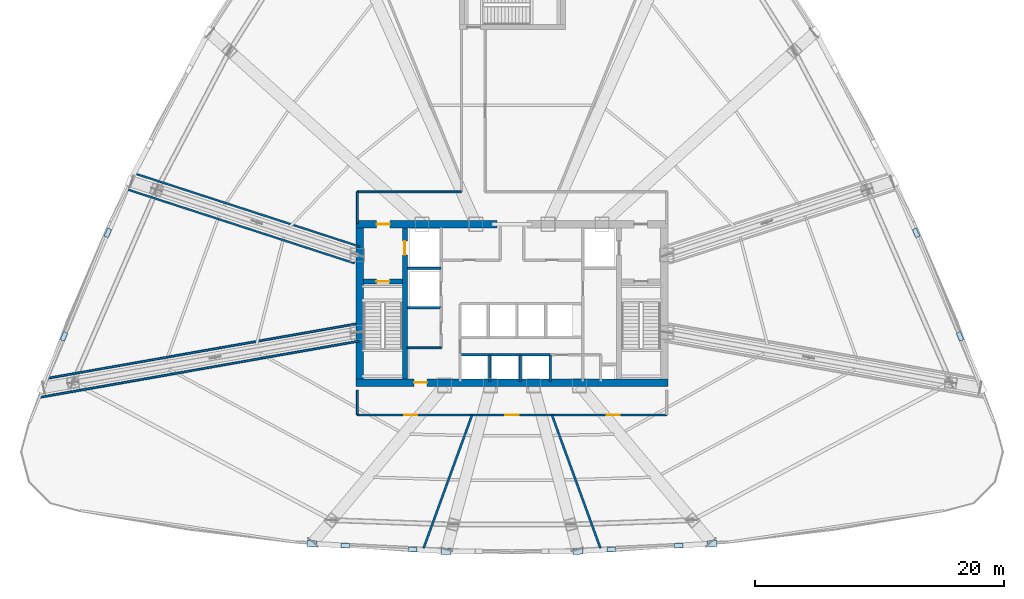
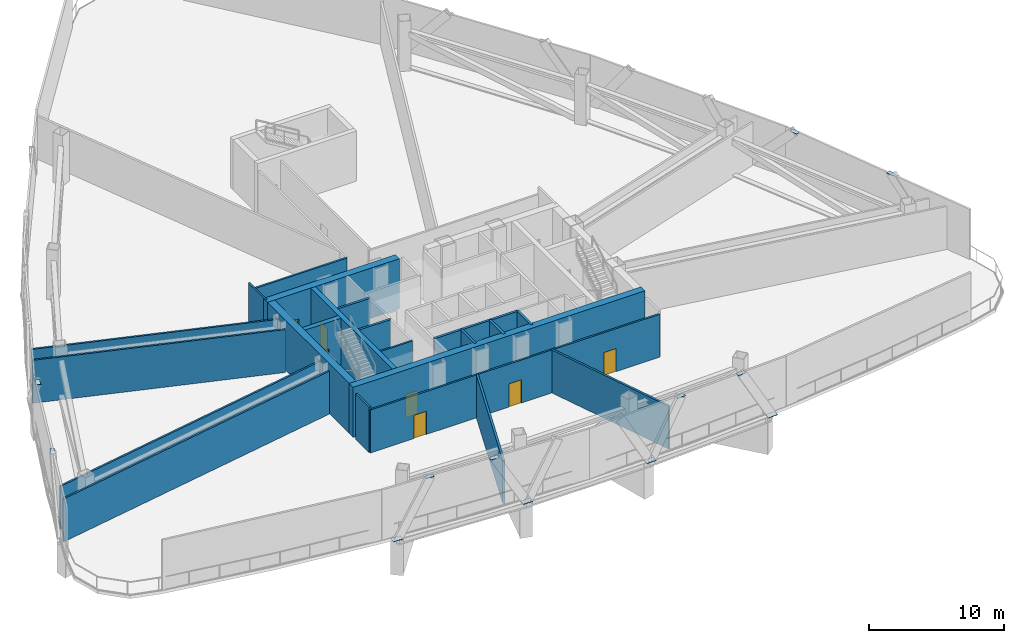
# One storey, part 9 of 17: 22 walls, 12 plates, 7 doors, 7 openings.
"""IFC4 building model written with IfcOpenShell, lengths in metres."""

from ifc_helpers import new_model, si_unit, direction, frame, frame_2d, origin, origin_with_axes, origin_2d, place, context, subcontext, project, spatial, rectangle, extrude, source, transform, mapped, material, layer, layer_set, type_object, element, fill, save


model = new_model("IFC4")

# Units and contexts
model_context = context("Model", 3, precision=1e-05, world=origin(), true_north=direction((0.0, 1.0)))
body_context = subcontext(model_context, "Body", "Model", "MODEL_VIEW")
ifc_project = project(units=[si_unit("LENGTHUNIT", "METRE"), si_unit("AREAUNIT", "SQUARE_METRE"), si_unit("VOLUMEUNIT", "CUBIC_METRE"), si_unit("PLANEANGLEUNIT", "RADIAN"), si_unit("MASSUNIT", "GRAM", prefix="KILO"), si_unit("THERMODYNAMICTEMPERATUREUNIT", "KELVIN"), si_unit("POWERUNIT", "WATT")], contexts=[model_context])

# Site, building, storey
site_placement = place(None, origin())
site = spatial("IfcSite", under=ifc_project, at=site_placement, CompositionType="ELEMENT")
building_placement = place(site_placement, origin())
building = spatial("IfcBuilding", under=site, at=building_placement, Name="Yunzhuo Pagoda Commons", CompositionType="ELEMENT")
storey_placement = place(building_placement, frame((0.0, 0.0, 176.159912109375)))
storey = spatial("IfcBuildingStorey", under=building, at=storey_placement, Name="L44", CompositionType="ELEMENT", Elevation=176.159912109375)

# Plates
ifc_material_1 = material(Name="Structural steel Q355B", Category="steel")
ifc_layer_1 = layer(ifc_material_1, 0.028076171875)
ifc_layer_set_1 = layer_set([ifc_layer_1], Name="Structural steel Q355B")
plate_type = type_object("IfcPlateType", Name="SP-ND1 Lattice Node Cap Plate 800x500x28", PredefinedType="USERDEFINED", material=ifc_layer_set_1)
shared_shape_1 = source(origin(), body_context, "Body", "SweptSolid", [
    extrude(rectangle(XDim=0.800048828125, YDim=0.5, at=origin_2d()), origin(), (0.0, 0.0, 1.0), 0.028076171875),
])
for number, where, z_axis, x_axis, name in (
    (1, (31.95263671875, 14.575439453125, -0.2939453125), (0.0, 0.0, 1.0), (0.998423178068, -0.05613517165, 0.0), "L44 diamond node plate F1.1A"),
    (2, (42.71337890625, 13.970458984375, -0.2939453125), (0.0, 0.0, 1.0), (1.0, 0.0, 0.0), "L44 diamond node plate F1.2A"),
    (3, (53.28662109375, 13.970458984375, -0.2939453125), (0.0, 0.0, 1.0), (0.998423178068, 0.05613517165, 0.0), "L44 diamond node plate F1.3A"),
    (4, (64.04736328125, 14.575439453125, -0.2939453125), (0.0, 0.0, 1.0), (0.998423178068, 0.05613517165, 0.0), "L44 diamond node plate F1.3B"),
):
    element("IfcPlate", number, at=place(storey_placement, frame(where, z_axis=z_axis, x_axis=x_axis)), inside=storey, type_object=plate_type, Name=name, ObjectType="STIFFENER_PLATE", PredefinedType="USERDEFINED", context=body_context, shape_type="MappedRepresentation", body=[
        mapped(shared_shape_1, transform((0.0, 0.0, 0.0), scale=1.0)),
    ])
shared_shape_2 = source(origin(), body_context, "Body", "SweptSolid", [
    extrude(rectangle(XDim=0.699951171875, YDim=0.35009765625, at=origin_2d()), origin(), (0.0, 0.0, 1.0), 0.035888671875),
])
for number, where, z_axis, x_axis, name in (
    (5, (34.642822265625, 14.42431640625, 4.501953125), (0.0, 0.0, 1.0), (0.998423178068, -0.05613517165, 0.0), "L44 setback lattice tie plate F1.1L"),
    (6, (40.023193359375, 14.12158203125, 4.501953125), (0.0, 0.0, 1.0), (0.998423178068, -0.05613517165, 0.0), "L44 setback lattice tie plate F1.1R"),
    (7, (55.976806640625, 14.12158203125, 4.501953125), (0.0, 0.0, 1.0), (0.998423178068, 0.05613517165, 0.0), "L44 setback lattice tie plate F1.3L"),
    (8, (61.357177734375, 14.42431640625, 4.501953125), (0.0, 0.0, 1.0), (0.998423178068, 0.05613517165, 0.0), "L44 setback lattice tie plate F1.3R"),
    (9, (83.930419921875, 31.20458984375, 4.501953125), (0.0, 0.0, 1.0), (-0.39069899657, 0.920518491981, 0.0), "L44 setback lattice tie plate F2.1L"),
    (10, (80.406982421875, 39.50634765625, 4.501953125), (0.0, 0.0, 1.0), (-0.39069899657, 0.920518491981, 0.0), "L44 setback lattice tie plate F2.1R"),
    (11, (15.593017578125, 39.50634765625, 4.501953125), (0.0, 0.0, 1.0), (-0.39069899657, -0.920518491981, 0.0), "L44 setback lattice tie plate F3.3L"),
    (12, (12.069580078125, 31.20458984375, 4.501953125), (0.0, 0.0, 1.0), (-0.39069899657, -0.920518491981, 0.0), "L44 setback lattice tie plate F3.3R"),
):
    element("IfcPlate", number, at=place(storey_placement, frame(where, z_axis=z_axis, x_axis=x_axis)), inside=storey, type_object=plate_type, Name=name, ObjectType="STIFFENER_PLATE", PredefinedType="USERDEFINED", context=body_context, shape_type="MappedRepresentation", body=[
        mapped(shared_shape_2, transform((0.0, 0.0, 0.0), scale=1.0)),
    ])

# Wall, opening, door
ifc_material_2 = material(Name="Concrete C60", Category="concrete")
ifc_layer_2 = layer(ifc_material_2, 0.60009765625)
ifc_layer_set_2 = layer_set([ifc_layer_2], Name="Concrete C60")
wall_type_1 = type_object("IfcWallType", Name="W-C02 Mid Core Shear Wall 600", PredefinedType="SHEAR", material=ifc_layer_set_2)
wall_1_placement = place(storey_placement, frame((35.5, 27.5, 0.0), z_axis=(0.0, 0.0, 1.0), x_axis=(1.0, 0.0, 0.0)))
wall_1 = element("IfcWall", 13, at=wall_1_placement, inside=storey, type_object=wall_type_1, Name="L44 core shear wall S", PredefinedType="SHEAR", context=body_context, shape_type="SweptSolid", body=[
    extrude(rectangle(XDim=25.0, YDim=0.60009765625, at=frame_2d((12.5, 0.0))), origin(), (0.0, 0.0, 1.0), 4.5400390625),
])
opening_1_placement = place(wall_1_placement, frame((4.64990234375, 0.0, 0.0)))
opening_1 = element("IfcOpeningElement", 14, at=opening_1_placement, cuts=wall_1, Name="Opening D-02", PredefinedType="OPENING", context=body_context, shape_type="SweptSolid", body=[
    extrude(rectangle(XDim=1.050048828125, YDim=2.10009765625, at=frame_2d((0.52490234375, 1.050048828125))), frame((0.0, 0.31005859375, 0.0), z_axis=(0.0, -1.0, 0.0), x_axis=(1.0, 0.0, 0.0)), (0.0, 0.0, 1.0), 0.6201171875),
])
ifc_material_3 = material(Name="Galvanized fire-resisting metal leaf")
door_type_1 = type_object("IfcDoorType", Name="D-02 Firefighting Lobby & Refuge Fire Door 1050x2100", OperationType="NOTDEFINED", PredefinedType="DOOR", material=ifc_material_3)
shared_shape_3 = source(origin(), body_context, "Body", "SweptSolid", [
    extrude(rectangle(XDim=1.050048828125, YDim=2.10009765625, at=frame_2d((0.52490234375, 1.050048828125))), frame((0.0, 0.02490234375, 0.0), z_axis=(0.0, -1.0, 0.0), x_axis=(1.0, 0.0, 0.0)), (0.0, 0.0, 1.0), 0.050048828125),
])
door_1_placement = place(opening_1_placement, frame((1.050048828125, 0.0, 0.0), z_axis=(0.0, 0.0, 1.0), x_axis=(-1.0, 0.0, 0.0)))
door_1 = element("IfcDoor", 15, at=door_1_placement, inside=storey, type_object=door_type_1, Name="L44 core south refuge lobby fire door", OperationType="SINGLE_SWING_LEFT", OverallHeight=2.10009765625, OverallWidth=1.050048828125, PredefinedType="DOOR", context=body_context, shape_type="MappedRepresentation", body=[
    mapped(shared_shape_3, transform((0.0, 0.0, 0.0), scale=1.0)),
])
fill(opening_1, door_1)

wall_2_placement = place(storey_placement, frame((35.5, 40.199951171875, 0.0), z_axis=(0.0, 0.0, 1.0), x_axis=(1.0, 0.0, 0.0)))
wall_2 = element("IfcWall", 16, at=wall_2_placement, inside=storey, type_object=wall_type_1, Name="L44 core shear wall NW", PredefinedType="SHEAR", context=body_context, shape_type="SweptSolid", body=[
    extrude(rectangle(XDim=11.300048828125, YDim=0.60009765625, at=frame_2d((5.64990234375, 0.0))), origin(), (0.0, 0.0, 1.0), 4.5400390625),
])
opening_2_placement = place(wall_2_placement, frame((1.64990234375, 0.0, 0.0)))
opening_2 = element("IfcOpeningElement", 17, at=opening_2_placement, cuts=wall_2, Name="Opening D-02", PredefinedType="OPENING", context=body_context, shape_type="SweptSolid", body=[
    extrude(rectangle(XDim=1.050048828125, YDim=2.10009765625, at=frame_2d((0.52490234375, 1.050048828125))), frame((0.0, 0.31005859375, 0.0), z_axis=(0.0, -1.0, 0.0), x_axis=(1.0, 0.0, 0.0)), (0.0, 0.0, 1.0), 0.6201171875),
])
door_2_placement = place(opening_2_placement, frame((1.050048828125, 0.0, 0.0), z_axis=(0.0, 0.0, 1.0), x_axis=(-1.0, 0.0, 0.0)))
door_2 = element("IfcDoor", 18, at=door_2_placement, inside=storey, type_object=door_type_1, Name="L44 Firefighting Lobby 1 fire door", OperationType="SINGLE_SWING_LEFT", OverallHeight=2.10009765625, OverallWidth=1.050048828125, PredefinedType="DOOR", context=body_context, shape_type="MappedRepresentation", body=[
    mapped(shared_shape_3, transform((0.0, 0.0, 0.0), scale=1.0)),
])
fill(opening_2, door_2)

# Walls
wall_3_placement = place(storey_placement, frame((35.800048828125, 27.800048828125, 0.0), z_axis=(0.0, 0.0, 1.0), x_axis=(0.0, 1.0, 0.0)))
element("IfcWall", 19, at=wall_3_placement, inside=storey, type_object=wall_type_1, Name="L44 core shear wall W", PredefinedType="SHEAR", context=body_context, shape_type="SweptSolid", body=[
    extrude(rectangle(XDim=12.099853515625, YDim=0.60009765625, at=frame_2d((6.0498046875, 0.0))), origin(), (0.0, 0.0, 1.0), 4.5400390625),
])
ifc_material_4 = material(Name="Gypsum plasterboard on acoustic stud")
ifc_layer_3 = layer(ifc_material_4, 0.155029296875)
ifc_layer_set_3 = layer_set([ifc_layer_3], Name="Gypsum plasterboard on acoustic stud")
wall_type_2 = type_object("IfcWallType", Name="W-COR2 Mid-Zone Rated Corridor Wall 155", PredefinedType="PARTITIONING", material=ifc_layer_set_3)
wall_4_placement = place(storey_placement, frame((39.60009765625, 30.280029296875, 0.0), z_axis=(0.0, 0.0, 1.0), x_axis=(1.0, 0.0, 0.0)))
element("IfcWall", 20, at=wall_4_placement, inside=storey, type_object=wall_type_2, Name="L44 interior wall IW-L44-LLOBSN", PredefinedType="PARTITIONING", context=body_context, shape_type="SweptSolid", body=[
    extrude(rectangle(XDim=2.719970703125, YDim=0.155029296875, at=frame_2d((1.35986328125, 0.0))), origin(), (0.0, 0.0, 1.0), 4.5400390625),
])
wall_5_placement = place(storey_placement, frame((35.81640625, 38.394775390625, 0.0), z_axis=(0.0, 0.0, 1.0), x_axis=(-0.951055361724, 0.309020547758, 0.0)))
element("IfcWall", 21, at=wall_5_placement, inside=storey, type_object=wall_type_2, Name="L44 interior wall IW-L44-OTW05", PredefinedType="PARTITIONING", context=body_context, shape_type="SweptSolid", body=[
    extrude(rectangle(XDim=18.956298828125, YDim=0.155029296875, at=frame_2d((9.47802734375, 0.0))), origin(), (0.0, 0.0, 1.0), 3.89013671875),
])
wall_6_placement = place(storey_placement, frame((35.3837890625, 37.063232421875, 0.0), z_axis=(0.0, 0.0, 1.0), x_axis=(-0.951056691926, 0.309016453838, 0.0)))
element("IfcWall", 22, at=wall_6_placement, inside=storey, type_object=wall_type_2, Name="L44 interior wall IW-L44-OTW06", PredefinedType="PARTITIONING", context=body_context, shape_type="SweptSolid", body=[
    extrude(rectangle(XDim=19.189697265625, YDim=0.155029296875, at=frame_2d((9.5947265625, 0.0))), origin(), (0.0, 0.0, 1.0), 3.89013671875),
])
wall_7_placement = place(storey_placement, frame((35.478515625, 32.202880859375, 0.0), z_axis=(0.0, 0.0, 1.0), x_axis=(-0.984809178547, -0.173640092865, 0.0)))
element("IfcWall", 23, at=wall_7_placement, inside=storey, type_object=wall_type_2, Name="L44 interior wall IW-L44-OTW07", PredefinedType="PARTITIONING", context=body_context, shape_type="SweptSolid", body=[
    extrude(rectangle(XDim=25.1240234375, YDim=0.155029296875, at=frame_2d((12.56201171875, 0.0))), origin(), (0.0, 0.0, 1.0), 3.89013671875),
])
wall_8_placement = place(storey_placement, frame((35.7216796875, 30.82421875, 0.0), z_axis=(0.0, 0.0, 1.0), x_axis=(-0.984808792437, -0.173642282695, 0.0)))
element("IfcWall", 24, at=wall_8_placement, inside=storey, type_object=wall_type_2, Name="L44 interior wall IW-L44-OTW08", PredefinedType="PARTITIONING", context=body_context, shape_type="SweptSolid", body=[
    extrude(rectangle(XDim=25.99560546875, YDim=0.155029296875, at=frame_2d((12.997802734375, 0.0))), origin(), (0.0, 0.0, 1.0), 3.89013671875),
])
wall_9_placement = place(storey_placement, frame((35.60009765625, 40.25, 0.0), z_axis=(0.0, 0.0, 1.0), x_axis=(0.0, 1.0, 0.0)))
element("IfcWall", 25, at=wall_9_placement, inside=storey, type_object=wall_type_2, Name="L44 interior wall IW-L44-SCW01", PredefinedType="PARTITIONING", context=body_context, shape_type="SweptSolid", body=[
    extrude(rectangle(XDim=2.550048828125, YDim=0.155029296875, at=frame_2d((1.27490234375, 0.0))), origin(), (0.0, 0.0, 1.0), 4.5400390625),
])
wall_10_placement = place(storey_placement, frame((35.60009765625, 42.800048828125, 0.0), z_axis=(0.0, 0.0, 1.0), x_axis=(1.0, 0.0, 0.0)))
element("IfcWall", 26, at=wall_10_placement, inside=storey, type_object=wall_type_2, Name="L44 interior wall IW-L44-SCW02", PredefinedType="PARTITIONING", context=body_context, shape_type="SweptSolid", body=[
    extrude(rectangle(XDim=8.349853515625, YDim=0.155029296875, at=frame_2d((4.1748046875, 0.0))), origin(), (0.0, 0.0, 1.0), 3.89013671875),
])

# Wall, openings, doors
wall_11_placement = place(storey_placement, frame((60.39990234375, 24.89990234375, 0.0), z_axis=(0.0, 0.0, 1.0), x_axis=(-1.0, 0.0, 0.0)))
wall_11 = element("IfcWall", 27, at=wall_11_placement, inside=storey, type_object=wall_type_2, Name="L44 interior wall IW-L44-SCW08", PredefinedType="PARTITIONING", context=body_context, shape_type="SweptSolid", body=[
    extrude(rectangle(XDim=24.7998046875, YDim=0.155029296875, at=frame_2d((12.39990234375, 0.0))), origin(), (0.0, 0.0, 1.0), 3.89013671875),
])
opening_3_placement = place(wall_11_placement, frame((3.74853515625, 0.0, 0.0)))
opening_3 = element("IfcOpeningElement", 28, at=opening_3_placement, cuts=wall_11, Name="Opening D-02", PredefinedType="OPENING", context=body_context, shape_type="SweptSolid", body=[
    extrude(rectangle(XDim=1.050048828125, YDim=2.10009765625, at=frame_2d((0.52490234375, 1.050048828125))), frame((0.0, 0.08740234375, 0.0), z_axis=(0.0, -1.0, 0.0), x_axis=(1.0, 0.0, 0.0)), (0.0, 0.0, 1.0), 0.175048828125),
])
opening_4_placement = place(wall_11_placement, frame((20.00146484375, 0.0, 0.0)))
opening_4 = element("IfcOpeningElement", 29, at=opening_4_placement, cuts=wall_11, Name="Opening D-02", PredefinedType="OPENING", context=body_context, shape_type="SweptSolid", body=[
    extrude(rectangle(XDim=1.050048828125, YDim=2.10009765625, at=frame_2d((0.52490234375, 1.050048828125))), frame((0.0, 0.08740234375, 0.0), z_axis=(0.0, -1.0, 0.0), x_axis=(1.0, 0.0, 0.0)), (0.0, 0.0, 1.0), 0.175048828125),
])
opening_5_placement = place(wall_11_placement, frame((11.875, 0.0, 0.0)))
opening_5 = element("IfcOpeningElement", 30, at=opening_5_placement, cuts=wall_11, Name="Opening D-02", PredefinedType="OPENING", context=body_context, shape_type="SweptSolid", body=[
    extrude(rectangle(XDim=1.050048828125, YDim=2.10009765625, at=frame_2d((0.52490234375, 1.050048828125))), frame((0.0, 0.08740234375, 0.0), z_axis=(0.0, -1.0, 0.0), x_axis=(1.0, 0.0, 0.0)), (0.0, 0.0, 1.0), 0.175048828125),
])
door_3_placement = place(opening_3_placement, origin_with_axes())
door_3 = element("IfcDoor", 31, at=door_3_placement, inside=storey, type_object=door_type_1, Name="L44 Air Handling Plant Room door", OperationType="SINGLE_SWING_LEFT", OverallHeight=2.10009765625, OverallWidth=1.050048828125, PredefinedType="DOOR", context=body_context, shape_type="MappedRepresentation", body=[
    mapped(shared_shape_3, transform((0.0, 0.0, 0.0), scale=1.0)),
])
fill(opening_3, door_3)
door_4_placement = place(opening_4_placement, origin_with_axes())
door_4 = element("IfcDoor", 32, at=door_4_placement, inside=storey, type_object=door_type_1, Name="L44 Hydronic and Fire Pump Plant Room door", OperationType="SINGLE_SWING_LEFT", OverallHeight=2.10009765625, OverallWidth=1.050048828125, PredefinedType="DOOR", context=body_context, shape_type="MappedRepresentation", body=[
    mapped(shared_shape_3, transform((0.0, 0.0, 0.0), scale=1.0)),
])
fill(opening_4, door_4)
door_5_placement = place(opening_5_placement, origin_with_axes())
door_5 = element("IfcDoor", 33, at=door_5_placement, inside=storey, type_object=door_type_1, Name="L44 South Refuge Area door", OperationType="SINGLE_SWING_RIGHT", OverallHeight=2.10009765625, OverallWidth=1.050048828125, PredefinedType="DOOR", context=body_context, shape_type="MappedRepresentation", body=[
    mapped(shared_shape_3, transform((0.0, 0.0, 0.0), scale=1.0)),
])
fill(opening_5, door_5)

# Walls
wall_12_placement = place(storey_placement, frame((35.60009765625, 24.89990234375, 0.0), z_axis=(0.0, 0.0, 1.0), x_axis=(0.0, 1.0, 0.0)))
element("IfcWall", 34, at=wall_12_placement, inside=storey, type_object=wall_type_2, Name="L44 interior wall IW-L44-SCW09", PredefinedType="PARTITIONING", context=body_context, shape_type="SweptSolid", body=[
    extrude(rectangle(XDim=2.0, YDim=0.155029296875, at=frame_2d((1.0, 0.0))), origin(), (0.0, 0.0, 1.0), 4.14013671875),
])
ifc_layer_4 = layer(ifc_material_4, 0.175048828125)
ifc_layer_set_4 = layer_set([ifc_layer_4], Name="Gypsum plasterboard on acoustic stud")
wall_type_3 = type_object("IfcWallType", Name="W-PRT3 Mid-Zone Demising Wall 175", PredefinedType="PARTITIONING", material=ifc_layer_set_4)
for number, where, z_axis, x_axis, name in (
    (35, (44.797119140625, 24.89990234375, 0.0), (0.0, 0.0, 1.0), (-0.34202392059, -0.939691245966, 0.0), "L44 interior wall IW-L44-SRAD3"),
    (36, (51.202880859375, 24.89990234375, 0.0), (0.0, 0.0, 1.0), (0.34202392059, -0.939691245966, 0.0), "L44 interior wall IW-L44-SRAD4"),
):
    element("IfcWall", number, at=place(storey_placement, frame(where, z_axis=z_axis, x_axis=x_axis)), inside=storey, type_object=wall_type_3, Name=name, PredefinedType="PARTITIONING", context=body_context, shape_type="SweptSolid", body=[
        extrude(rectangle(XDim=11.3759765625, YDim=0.175048828125, at=frame_2d((5.68798828125, 0.0))), origin(), (0.0, 0.0, 1.0), 3.89013671875),
    ])

# Wall, opening, door
ifc_layer_5 = layer(ifc_material_2, 0.39990234375)
ifc_layer_set_5 = layer_set([ifc_layer_5], Name="Concrete C60")
wall_type_4 = type_object("IfcWallType", Name="W-S01 Internal Core Shear Web 400", PredefinedType="SHEAR", material=ifc_layer_set_5)
wall_13_placement = place(storey_placement, frame((39.39990234375, 27.800048828125, 0.0), z_axis=(0.0, 0.0, 1.0), x_axis=(0.0, 1.0, 0.0)))
wall_13 = element("IfcWall", 37, at=wall_13_placement, inside=storey, type_object=wall_type_4, Name="L44 core shear wall WEBW", PredefinedType="SHEAR", context=body_context, shape_type="SweptSolid", body=[
    extrude(rectangle(XDim=12.099853515625, YDim=0.39990234375, at=frame_2d((6.0498046875, 0.0))), origin(), (0.0, 0.0, 1.0), 4.5400390625),
])
opening_6_placement = place(wall_13_placement, frame((9.949951171875, 0.0, 0.0)))
opening_6 = element("IfcOpeningElement", 38, at=opening_6_placement, cuts=wall_13, Name="Opening LD-01", PredefinedType="OPENING", context=body_context, shape_type="SweptSolid", body=[
    extrude(rectangle(XDim=1.10009765625, YDim=2.10009765625, at=frame_2d((0.550048828125, 1.050048828125))), frame((0.0, 0.2099609375, 0.0), z_axis=(0.0, -1.0, 0.0), x_axis=(1.0, 0.0, 0.0)), (0.0, 0.0, 1.0), 0.419921875),
])
door_type_2 = type_object("IfcDoorType", Name="LD-01 Firefighting Lift Landing Door 1100x2100", OperationType="DOUBLE_DOOR_SLIDING", PredefinedType="DOOR", material=ifc_material_3)
shared_shape_4 = source(origin(), body_context, "Body", "SweptSolid", [
    extrude(rectangle(XDim=1.10009765625, YDim=2.10009765625, at=frame_2d((0.550048828125, 1.050048828125))), frame((0.0, 0.02490234375, 0.0), z_axis=(0.0, -1.0, 0.0), x_axis=(1.0, 0.0, 0.0)), (0.0, 0.0, 1.0), 0.050048828125),
])
door_6_placement = place(opening_6_placement, frame((1.10009765625, 0.0, 0.0), z_axis=(0.0, 0.0, 1.0), x_axis=(-1.0, 0.0, 0.0)))
door_6 = element("IfcDoor", 39, at=door_6_placement, inside=storey, type_object=door_type_2, Name="L44 Firefighting lift FL-1 landing door", OperationType="DOUBLE_DOOR_SLIDING", OverallHeight=2.10009765625, OverallWidth=1.10009765625, PredefinedType="DOOR", context=body_context, shape_type="MappedRepresentation", body=[
    mapped(shared_shape_4, transform((0.0, 0.0, 0.0), scale=1.0)),
])
fill(opening_6, door_6)

wall_14_placement = place(storey_placement, frame((36.10009765625, 35.60009765625, 0.0), z_axis=(0.0, 0.0, 1.0), x_axis=(1.0, 0.0, 0.0)))
wall_14 = element("IfcWall", 40, at=wall_14_placement, inside=storey, type_object=wall_type_4, Name="L44 core shear wall STW", PredefinedType="SHEAR", context=body_context, shape_type="SweptSolid", body=[
    extrude(rectangle(XDim=3.099853515625, YDim=0.39990234375, at=frame_2d((1.5498046875, 0.0))), origin(), (0.0, 0.0, 1.0), 4.5400390625),
])
opening_7_placement = place(wall_14_placement, frame((1.02001953125, 0.0, 0.0)))
opening_7 = element("IfcOpeningElement", 41, at=opening_7_placement, cuts=wall_14, Name="Opening D-01", PredefinedType="OPENING", context=body_context, shape_type="SweptSolid", body=[
    extrude(rectangle(XDim=1.050048828125, YDim=2.10009765625, at=frame_2d((0.52490234375, 1.050048828125))), frame((0.0, 0.2099609375, 0.0), z_axis=(0.0, -1.0, 0.0), x_axis=(1.0, 0.0, 0.0)), (0.0, 0.0, 1.0), 0.419921875),
])
door_type_3 = type_object("IfcDoorType", Name="D-01 Smokeproof Stair Fire Door 1050x2100", OperationType="NOTDEFINED", PredefinedType="DOOR", material=ifc_material_3)
door_7_placement = place(opening_7_placement, frame((1.050048828125, 0.0, 0.0), z_axis=(0.0, 0.0, 1.0), x_axis=(-1.0, 0.0, 0.0)))
door_7 = element("IfcDoor", 42, at=door_7_placement, inside=storey, type_object=door_type_3, Name="L44 Stair ST1 fire door", OperationType="SINGLE_SWING_LEFT", OverallHeight=2.10009765625, OverallWidth=1.050048828125, PredefinedType="DOOR", context=body_context, shape_type="MappedRepresentation", body=[
    mapped(shared_shape_3, transform((0.0, 0.0, 0.0), scale=1.0)),
])
fill(opening_7, door_7)

# Walls
ifc_material_5 = material(Name="Concrete C40", Category="concrete")
ifc_layer_6 = layer(ifc_material_5, 0.199951171875)
ifc_layer_set_6 = layer_set([ifc_layer_6], Name="Concrete C40")
wall_type_5 = type_object("IfcWallType", Name="W-SHF Shaft & Stair Enclosure Wall 200", PredefinedType="SOLIDWALL", material=ifc_layer_set_6)
for number, where, z_axis, x_axis, name in (
    (43, (39.60009765625, 36.64990234375, 0.0), (0.0, 0.0, 1.0), (1.0, 0.0, 0.0), "L44 interior wall IW-L44-FL1S"),
    (44, (39.60009765625, 33.5, 0.0), (0.0, 0.0, 1.0), (1.0, 0.0, 0.0), "L44 interior wall IW-L44-SL1S"),
):
    element("IfcWall", number, at=place(storey_placement, frame(where, z_axis=z_axis, x_axis=x_axis)), inside=storey, type_object=wall_type_5, Name=name, PredefinedType="SOLIDWALL", context=body_context, shape_type="SweptSolid", body=[
        extrude(rectangle(XDim=2.719970703125, YDim=0.199951171875, at=frame_2d((1.35986328125, 0.0))), origin(), (0.0, 0.0, 1.0), 4.5400390625),
    ])
wall_15_placement = place(storey_placement, frame((43.85009765625, 29.719970703125, 0.0), z_axis=(0.0, 0.0, 1.0), x_axis=(1.0, 0.0, 0.0)))
element("IfcWall", 45, at=wall_15_placement, inside=storey, type_object=wall_type_5, Name="L44 interior wall IW-L44-PLHN", PredefinedType="SOLIDWALL", context=body_context, shape_type="SweptSolid", body=[
    extrude(rectangle(XDim=7.199951171875, YDim=0.199951171875, at=frame_2d((3.60009765625, 0.0))), origin(), (0.0, 0.0, 1.0), 4.5400390625),
])
for number, where, z_axis, x_axis, name in (
    (46, (51.050048828125, 27.60009765625, 0.0), (0.0, 0.0, 1.0), (0.0, 1.0, 0.0), "L44 interior wall IW-L44-PLHE"),
    (47, (46.22509765625, 27.60009765625, 0.0), (0.0, 0.0, 1.0), (0.0, 1.0, 0.0), "L44 interior wall IW-L44-PLHD1"),
    (48, (48.675048828125, 27.60009765625, 0.0), (0.0, 0.0, 1.0), (0.0, 1.0, 0.0), "L44 interior wall IW-L44-PLHD2"),
):
    element("IfcWall", number, at=place(storey_placement, frame(where, z_axis=z_axis, x_axis=x_axis)), inside=storey, type_object=wall_type_5, Name=name, PredefinedType="SOLIDWALL", context=body_context, shape_type="SweptSolid", body=[
        extrude(rectangle(XDim=2.119873046875, YDim=0.199951171875, at=frame_2d((1.06005859375, 0.0))), origin(), (0.0, 0.0, 1.0), 4.5400390625),
    ])

save(model, "model.ifc")
